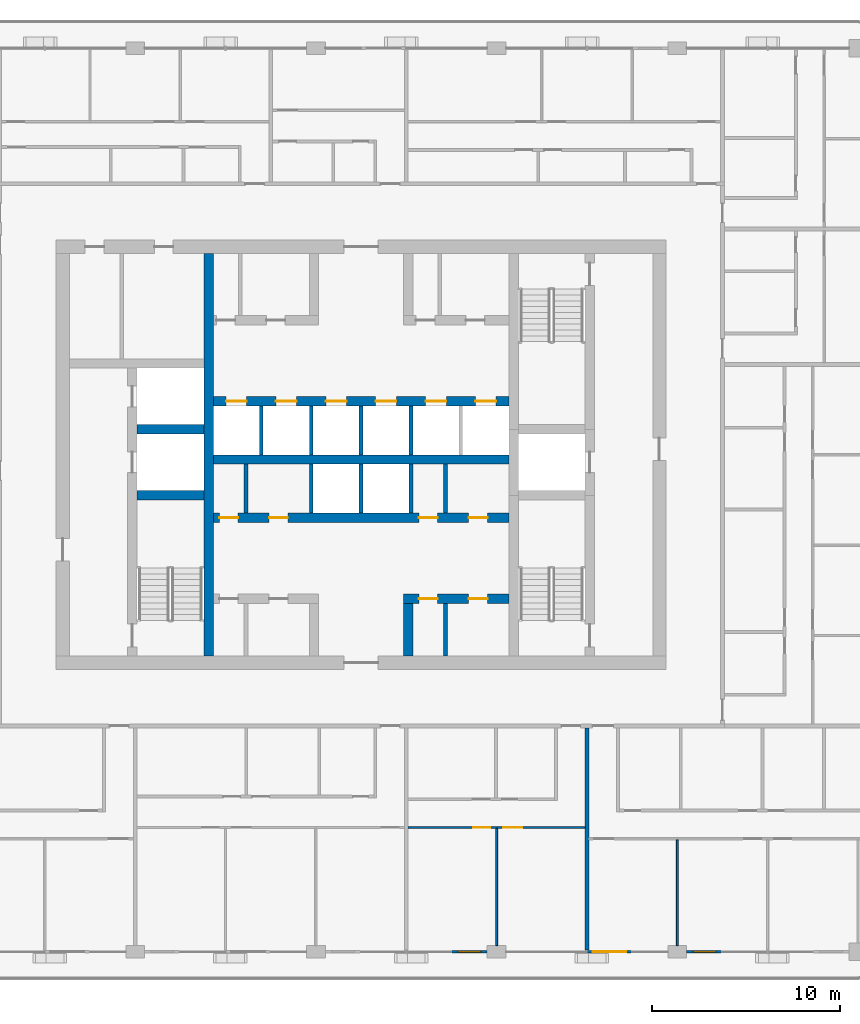
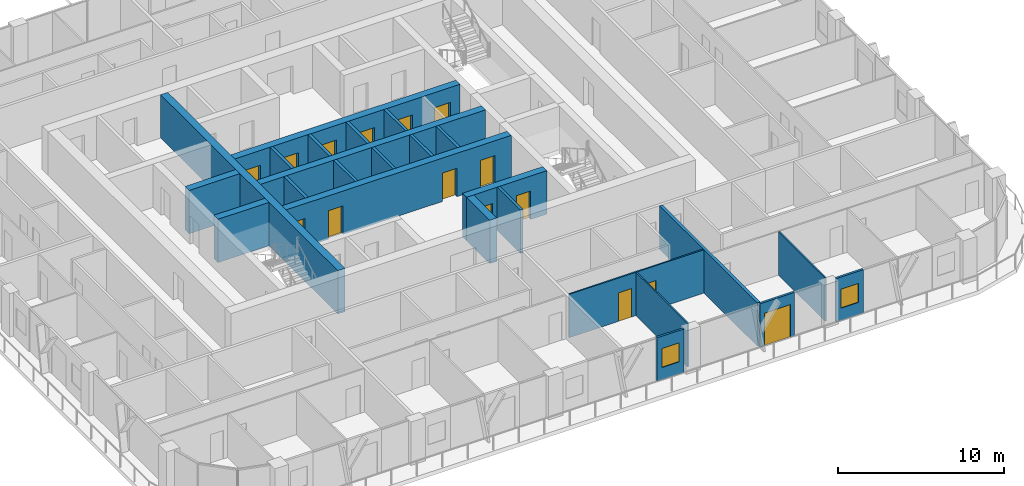
# One storey, part 11 of 22: 25 walls, 15 doors, 2 windows, 17 openings.
"""IFC4 building model written with IfcOpenShell, lengths in metres."""

import ifcopenshell
import ifcopenshell.guid

model = None  # the IFC model being written
_history = None  # IfcOwnerHistory: only IFC2X3 demands one
_inside = {}  # id of a spatial element -> (the spatial element, [elements in it])
_under = {}  # id of a project, library or spatial element -> (it, [spatial elements below it])
_declared = {}  # id of a project -> (the project, [libraries it declares])
_typed = {}  # id of a type object -> (the type object, [elements of that type])
_made_of = {}  # id of a material, layer set ... -> (it, [elements and type objects made of it])


def new_model(schema):
    """Start an empty IFC model of exactly this schema.

    Asked for "IFC4X3", IfcOpenShell would pick the latest addendum, in which some entities
    have other attributes; the version numbers below select the first issue.
    IFC2X3 requires an IfcOwnerHistory on every rooted entity: one is made here for all.
    """
    global model, _history
    if schema == "IFC4X3":
        model = ifcopenshell.file(schema_version=(4, 3, 0, 0))
    else:
        model = ifcopenshell.file(schema=schema)
    _inside.clear()
    _under.clear()
    _declared.clear()
    _typed.clear()
    _made_of.clear()
    _history = None
    if model.schema == "IFC2X3":
        org = make("IfcOrganization", Name="unknown")
        user = make(
            "IfcPersonAndOrganization",
            ThePerson=make("IfcPerson", FamilyName="unknown"),
            TheOrganization=org,
        )
        app = make(
            "IfcApplication",
            ApplicationDeveloper=org,
            Version="unknown",
            ApplicationFullName="unknown",
            ApplicationIdentifier="unknown",
        )
        _history = make(
            "IfcOwnerHistory",
            OwningUser=user,
            OwningApplication=app,
            ChangeAction="ADDED",
            CreationDate=0,
        )
    return model


def make(cls, **values):
    """One entity of the class cls with the attributes given. An attribute that is None is left unset."""
    return model.create_entity(
        cls, **{name: value for name, value in values.items() if value is not None}
    )


def rooted(cls, **values):
    """An entity with a GlobalId (a new one), such as an element, a storey or a relation."""
    return make(cls, GlobalId=ifcopenshell.guid.new(), OwnerHistory=_history, **values)


def si_unit(unit_type, name, prefix=None):
    """IfcSIUnit, for example si_unit("LENGTHUNIT", "METRE", prefix="MILLI")."""
    return make("IfcSIUnit", UnitType=unit_type, Prefix=prefix, Name=name)


def assignment(units):
    """IfcUnitAssignment: the units of a project."""
    return None if units is None else make("IfcUnitAssignment", Units=units)


def point(xyz):
    """IfcCartesianPoint."""
    return None if xyz is None else make("IfcCartesianPoint", Coordinates=xyz)


def direction(xyz):
    """IfcDirection."""
    return None if xyz is None else make("IfcDirection", DirectionRatios=xyz)


def frame(location, z_axis=None, x_axis=None):
    """IfcAxis2Placement3D, a coordinate frame: its origin and axes. An axis left out is left unset."""
    return make(
        "IfcAxis2Placement3D",
        Location=point(location),
        Axis=direction(z_axis),
        RefDirection=direction(x_axis),
    )


def frame_2d(location, x_axis=None):
    """IfcAxis2Placement2D, a coordinate frame in the plane: its origin and x axis."""
    return make(
        "IfcAxis2Placement2D", Location=point(location), RefDirection=direction(x_axis)
    )


def origin():
    """The frame at (0, 0, 0) with its axes left unset."""
    return frame((0.0, 0.0, 0.0))


def place(relative_to, where):
    """IfcLocalPlacement: puts the frame where relative to a parent placement (None: the world)."""
    return make(
        "IfcLocalPlacement", PlacementRelTo=relative_to, RelativePlacement=where
    )


def context(
    kind, dimensions, precision=None, world=None, true_north=None, identifier=None
):
    """IfcGeometricRepresentationContext, for example the 3D "Model" context."""
    return make(
        "IfcGeometricRepresentationContext",
        ContextIdentifier=identifier,
        ContextType=kind,
        CoordinateSpaceDimension=dimensions,
        Precision=precision,
        WorldCoordinateSystem=world,
        TrueNorth=true_north,
    )


def subcontext(parent, identifier, kind, view, scale=None):
    """IfcGeometricRepresentationSubContext, for example "Body" below "Model"."""
    return make(
        "IfcGeometricRepresentationSubContext",
        ContextIdentifier=identifier,
        ContextType=kind,
        ParentContext=parent,
        TargetScale=scale,
        TargetView=view,
    )


def project(units=None, contexts=None):
    """IfcProject with its units and contexts."""
    return rooted(
        "IfcProject",
        Name="project",
        RepresentationContexts=contexts,
        UnitsInContext=assignment(units),
    )


def spatial(cls, under=None, at=None, **own):
    """A site, building, storey or space (cls), placed at a placement, below another one or the project."""
    s = rooted(cls, ObjectPlacement=at, **own)
    if under is not None:
        _under.setdefault(under.id(), (under, []))[1].append(s)
    return s


def profile(cls, at=None, kind="AREA", **sizes):
    """A parametric profile (cls). Its sizes go by their IFC names, for example OverallWidth=200.0."""
    return make(cls, ProfileType=kind, Position=at, **sizes)


def rectangle(**sizes):
    """IfcRectangleProfileDef."""
    return profile("IfcRectangleProfileDef", **sizes)


def extrude(swept, where, along, depth):
    """IfcExtrudedAreaSolid: the profile swept, set in the frame where, extruded along a direction by depth."""
    return make(
        "IfcExtrudedAreaSolid",
        SweptArea=swept,
        Position=where,
        ExtrudedDirection=direction(along),
        Depth=depth,
    )


def shape(context_of_items, identifier, shape_type, items):
    """IfcShapeRepresentation: the items that make up one representation, for example the "Body"."""
    return make(
        "IfcShapeRepresentation",
        ContextOfItems=context_of_items,
        RepresentationIdentifier=identifier,
        RepresentationType=shape_type,
        Items=items,
    )


def material(Name=None, Category=None):
    """IfcMaterial."""
    return make("IfcMaterial", Name=Name, Category=Category)


def layer(
    of_material, thickness, ventilated=None, Name=None, Category=None, Priority=None
):
    """IfcMaterialLayer: one layer of a wall or slab, of a material (None: an air gap)."""
    return make(
        "IfcMaterialLayer",
        Material=of_material,
        LayerThickness=thickness,
        IsVentilated=ventilated,
        Name=Name,
        Category=Category,
        Priority=Priority,
    )


def layer_set(layers, Name=None):
    """IfcMaterialLayerSet."""
    return make("IfcMaterialLayerSet", MaterialLayers=layers, LayerSetName=Name)


def made_of(thing, what):
    """Note that an element or type object is made of a material, layer set ...; save() writes the relation."""
    if what is not None:
        _made_of.setdefault(what.id(), (what, []))[1].append(thing)
    return thing


def type_object(cls, material=None, **own):
    """A type object (cls), such as IfcWallType, which elements share."""
    return made_of(rooted(cls, **own), material)


def element(
    cls,
    number,
    at=None,
    inside=None,
    cuts=None,
    type_object=None,
    material=None,
    context=None,
    identifier="Body",
    shape_type=None,
    held_by="IfcProductDefinitionShape",
    body=None,
    shapes=None,
    **own,
):
    """One element of the class cls, such as IfcWall. Its Tag is "e" and its number.

    at: its placement. inside: the storey or other place that contains it. cuts: it is an
    opening in that element (IfcRelVoidsElement). A single representation is given by context,
    identifier, shape_type and body (its items); several are given by shapes. held_by: the class
    of the entity that holds the representations. save() writes the other relations.
    """
    e = rooted(cls, Tag="e%d" % number, ObjectPlacement=at, **own)
    if body is not None:
        shapes = [shape(context, identifier, shape_type, body)]
    if shapes is not None:
        e.Representation = make(held_by, Representations=shapes)
    if inside is not None:
        _inside.setdefault(inside.id(), (inside, []))[1].append(e)
    if cuts is not None:
        rooted(
            "IfcRelVoidsElement", RelatingBuildingElement=cuts, RelatedOpeningElement=e
        )
    if type_object is not None:
        _typed.setdefault(type_object.id(), (type_object, []))[1].append(e)
    return made_of(e, material)


def fill(opening, filler):
    """IfcRelFillsElement: the door or window that sits in an opening."""
    return rooted(
        "IfcRelFillsElement",
        RelatingOpeningElement=opening,
        RelatedBuildingElement=filler,
    )


def aggregate(whole, parts):
    """IfcRelAggregates: a whole, such as a stair, and the parts it consists of."""
    return rooted("IfcRelAggregates", RelatingObject=whole, RelatedObjects=parts)


def save(model, path):
    """Write the relations noted so far, then the file.

    IfcRelAggregates (storeys below a building ...), IfcRelContainedInSpatialStructure (elements
    in a storey), IfcRelDefinesByType, IfcRelAssociatesMaterial and IfcRelDeclares: one each for
    every whole, place, type object, material and project.
    """
    for whole, parts in _under.values():
        aggregate(whole, parts)
    for where, things in _inside.values():
        rooted(
            "IfcRelContainedInSpatialStructure",
            RelatedElements=things,
            RelatingStructure=where,
        )
    for kind, things in _typed.values():
        rooted("IfcRelDefinesByType", RelatedObjects=things, RelatingType=kind)
    for what, things in _made_of.values():
        rooted("IfcRelAssociatesMaterial", RelatedObjects=things, RelatingMaterial=what)
    for by, libraries in _declared.values():
        rooted("IfcRelDeclares", RelatingContext=by, RelatedDefinitions=libraries)
    model.write(path)


model = new_model("IFC4")

# Units and contexts
model_context = context("Model", 3, precision=1e-05, world=origin(), true_north=direction((0.0, 1.0)))
body_context = subcontext(model_context, "Body", "Model", "MODEL_VIEW")
ifc_project = project(units=[si_unit("LENGTHUNIT", "METRE"), si_unit("AREAUNIT", "SQUARE_METRE"), si_unit("VOLUMEUNIT", "CUBIC_METRE"), si_unit("PLANEANGLEUNIT", "RADIAN"), si_unit("MASSUNIT", "GRAM", prefix="KILO")], contexts=[model_context])

# Site, building, storey
site_placement = place(None, origin())
site = spatial("IfcSite", under=ifc_project, at=site_placement, CompositionType="ELEMENT")
building_placement = place(site_placement, origin())
building = spatial("IfcBuilding", under=site, at=building_placement, Name="Madar Terraces", CompositionType="ELEMENT")
storey_placement = place(building_placement, frame((0.0, 0.0, 178.89990234375)))
storey = spatial("IfcBuildingStorey", under=building, at=storey_placement, Name="L46", CompositionType="ELEMENT", Elevation=178.89990234375)

# Walls
ifc_material_1 = material(Name="Concrete C60/75", Category="concrete")
ifc_layer_1 = layer(ifc_material_1, 0.5)
ifc_layer_set_1 = layer_set([ifc_layer_1], Name="Concrete C60/75 (CIW4 RC wall 500)")
wall_type_1 = type_object("IfcWallType", Name="CIW4 RC wall 500", PredefinedType="SHEAR", material=ifc_layer_set_1)
wall_1_placement = place(storey_placement, frame((23.10009765625, 15.699951171875, 0.0), z_axis=(0.0, 0.0, 1.0), x_axis=(0.0, 1.0, 0.0)))
element("IfcWall", 1, at=wall_1_placement, inside=storey, type_object=wall_type_1, Name="CORE SHAFT WALL", PredefinedType="SHEAR", context=body_context, shape_type="SweptSolid", body=[
    extrude(rectangle(XDim=21.400146484375, YDim=0.5, at=frame_2d((10.7001953125, 0.0))), origin(), (0.0, 0.0, 1.0), 3.2001953125),
])
for number, where, z_axis, x_axis, name in (
    (2, (19.300048828125, 24.25, 0.0), (0.0, 0.0, 1.0), (1.0, 0.0, 0.0), "CORE SHAFT WALL"),
    (3, (19.300048828125, 27.75, 0.0), (0.0, 0.0, 1.0), (1.0, 0.0, 0.0), "CORE SHAFT WALL"),
):
    element("IfcWall", number, at=place(storey_placement, frame(where, z_axis=z_axis, x_axis=x_axis)), inside=storey, type_object=wall_type_1, Name=name, PredefinedType="SHEAR", context=body_context, shape_type="SweptSolid", body=[
        extrude(rectangle(XDim=3.550048828125, YDim=0.5, at=frame_2d((1.77490234375, 0.0))), origin(), (0.0, 0.0, 1.0), 3.2001953125),
    ])

# Wall, openings, doors
wall_2_placement = place(storey_placement, frame((33.449951171875, 18.75, 0.0), z_axis=(0.0, 0.0, 1.0), x_axis=(1.0, 0.0, 0.0)))
wall_2 = element("IfcWall", 4, at=wall_2_placement, inside=storey, type_object=wall_type_1, Name="CORE SHAFT WALL", PredefinedType="SHEAR", context=body_context, shape_type="SweptSolid", body=[
    extrude(rectangle(XDim=5.60009765625, YDim=0.5, at=frame_2d((2.800048828125, 0.0))), origin(), (0.0, 0.0, 1.0), 3.2001953125),
])
opening_1_placement = place(wall_2_placement, frame((0.81689453125, 0.0, 0.0)))
opening_1 = element("IfcOpeningElement", 5, at=opening_1_placement, cuts=wall_2, Name="Opening KD2", PredefinedType="OPENING", context=body_context, shape_type="SweptSolid", body=[
    extrude(rectangle(XDim=1.0, YDim=2.10009765625, at=frame_2d((0.5, 1.050048828125))), frame((0.0, 0.260009765625, 0.0), z_axis=(0.0, -1.0, 0.0), x_axis=(1.0, 0.0, 0.0)), (0.0, 0.0, 1.0), 0.52001953125),
])
opening_2_placement = place(wall_2_placement, frame((3.467041015625, 0.0, 0.0)))
opening_2 = element("IfcOpeningElement", 6, at=opening_2_placement, cuts=wall_2, Name="Opening KD2", PredefinedType="OPENING", context=body_context, shape_type="SweptSolid", body=[
    extrude(rectangle(XDim=1.0, YDim=2.10009765625, at=frame_2d((0.5, 1.050048828125))), frame((0.0, 0.260009765625, 0.0), z_axis=(0.0, -1.0, 0.0), x_axis=(1.0, 0.0, 0.0)), (0.0, 0.0, 1.0), 0.52001953125),
])
ifc_material_2 = material(Name="Steel door leaf", Category="steel")
door_type_1 = type_object("IfcDoorType", Name="Service room door 1000 x 2100", OperationType="NOTDEFINED", PredefinedType="DOOR", material=ifc_material_2)
door_1_placement = place(opening_1_placement, origin())
door_1 = element("IfcDoor", 7, at=door_1_placement, inside=storey, type_object=door_type_1, Name="SERVICE ROOM DOOR", OperationType="SINGLE_SWING_LEFT", OverallHeight=2.10009765625, OverallWidth=1.0, PredefinedType="DOOR", context=body_context, shape_type="SweptSolid", body=[
    extrude(rectangle(XDim=1.0, YDim=2.10009765625, at=frame_2d((0.5, 1.050048828125))), frame((0.0, 0.02490234375, 0.0), z_axis=(0.0, -1.0, 0.0), x_axis=(1.0, 0.0, 0.0)), (0.0, 0.0, 1.0), 0.050048828125),
])
fill(opening_1, door_1)
door_2_placement = place(opening_2_placement, origin())
door_2 = element("IfcDoor", 8, at=door_2_placement, inside=storey, type_object=door_type_1, Name="SERVICE ROOM DOOR", OperationType="SINGLE_SWING_RIGHT", OverallHeight=2.10009765625, OverallWidth=1.0, PredefinedType="DOOR", context=body_context, shape_type="SweptSolid", body=[
    extrude(rectangle(XDim=1.0, YDim=2.10009765625, at=frame_2d((0.5, 1.050048828125))), frame((0.0, 0.02490234375, 0.0), z_axis=(0.0, -1.0, 0.0), x_axis=(1.0, 0.0, 0.0)), (0.0, 0.0, 1.0), 0.050048828125),
])
fill(opening_2, door_2)

wall_3_placement = place(storey_placement, frame((23.35009765625, 23.050048828125, 0.0), z_axis=(0.0, 0.0, 1.0), x_axis=(1.0, 0.0, 0.0)))
wall_3 = element("IfcWall", 9, at=wall_3_placement, inside=storey, type_object=wall_type_1, Name="CORE SHAFT WALL", PredefinedType="SHEAR", context=body_context, shape_type="SweptSolid", body=[
    extrude(rectangle(XDim=15.699951171875, YDim=0.5, at=frame_2d((7.85009765625, 0.0))), origin(), (0.0, 0.0, 1.0), 3.2001953125),
])
opening_3_placement = place(wall_3_placement, frame((0.31689453125, 0.0, 0.0)))
opening_3 = element("IfcOpeningElement", 10, at=opening_3_placement, cuts=wall_3, Name="Opening KD2", PredefinedType="OPENING", context=body_context, shape_type="SweptSolid", body=[
    extrude(rectangle(XDim=1.0, YDim=2.10009765625, at=frame_2d((0.5, 1.050048828125))), frame((0.0, 0.260009765625, 0.0), z_axis=(0.0, -1.0, 0.0), x_axis=(1.0, 0.0, 0.0)), (0.0, 0.0, 1.0), 0.52001953125),
])
opening_4_placement = place(wall_3_placement, frame((2.967041015625, 0.0, 0.0)))
opening_4 = element("IfcOpeningElement", 11, at=opening_4_placement, cuts=wall_3, Name="Opening KD2", PredefinedType="OPENING", context=body_context, shape_type="SweptSolid", body=[
    extrude(rectangle(XDim=1.0, YDim=2.10009765625, at=frame_2d((0.5, 1.050048828125))), frame((0.0, 0.260009765625, 0.0), z_axis=(0.0, -1.0, 0.0), x_axis=(1.0, 0.0, 0.0)), (0.0, 0.0, 1.0), 0.52001953125),
])
opening_5_placement = place(wall_3_placement, frame((10.9169921875, 0.0, 0.0)))
opening_5 = element("IfcOpeningElement", 12, at=opening_5_placement, cuts=wall_3, Name="Opening KD2", PredefinedType="OPENING", context=body_context, shape_type="SweptSolid", body=[
    extrude(rectangle(XDim=1.0, YDim=2.10009765625, at=frame_2d((0.5, 1.050048828125))), frame((0.0, 0.260009765625, 0.0), z_axis=(0.0, -1.0, 0.0), x_axis=(1.0, 0.0, 0.0)), (0.0, 0.0, 1.0), 0.52001953125),
])
opening_6_placement = place(wall_3_placement, frame((13.56689453125, 0.0, 0.0)))
opening_6 = element("IfcOpeningElement", 13, at=opening_6_placement, cuts=wall_3, Name="Opening KD2", PredefinedType="OPENING", context=body_context, shape_type="SweptSolid", body=[
    extrude(rectangle(XDim=1.0, YDim=2.10009765625, at=frame_2d((0.5, 1.050048828125))), frame((0.0, 0.260009765625, 0.0), z_axis=(0.0, -1.0, 0.0), x_axis=(1.0, 0.0, 0.0)), (0.0, 0.0, 1.0), 0.52001953125),
])
door_3_placement = place(opening_3_placement, frame((1.0, 0.0, 0.0), z_axis=(0.0, 0.0, 1.0), x_axis=(-1.0, 0.0, 0.0)))
door_3 = element("IfcDoor", 14, at=door_3_placement, inside=storey, type_object=door_type_1, Name="SERVICE ROOM DOOR", OperationType="SINGLE_SWING_LEFT", OverallHeight=2.10009765625, OverallWidth=1.0, PredefinedType="DOOR", context=body_context, shape_type="SweptSolid", body=[
    extrude(rectangle(XDim=1.0, YDim=2.10009765625, at=frame_2d((0.5, 1.050048828125))), frame((0.0, 0.02490234375, 0.0), z_axis=(0.0, -1.0, 0.0), x_axis=(1.0, 0.0, 0.0)), (0.0, 0.0, 1.0), 0.050048828125),
])
fill(opening_3, door_3)
door_4_placement = place(opening_4_placement, frame((1.0, 0.0, 0.0), z_axis=(0.0, 0.0, 1.0), x_axis=(-1.0, 0.0, 0.0)))
door_4 = element("IfcDoor", 15, at=door_4_placement, inside=storey, type_object=door_type_1, Name="SERVICE ROOM DOOR", OperationType="SINGLE_SWING_RIGHT", OverallHeight=2.10009765625, OverallWidth=1.0, PredefinedType="DOOR", context=body_context, shape_type="SweptSolid", body=[
    extrude(rectangle(XDim=1.0, YDim=2.10009765625, at=frame_2d((0.5, 1.050048828125))), frame((0.0, 0.02490234375, 0.0), z_axis=(0.0, -1.0, 0.0), x_axis=(1.0, 0.0, 0.0)), (0.0, 0.0, 1.0), 0.050048828125),
])
fill(opening_4, door_4)
door_5_placement = place(opening_5_placement, frame((1.0, 0.0, 0.0), z_axis=(0.0, 0.0, 1.0), x_axis=(-1.0, 0.0, 0.0)))
door_5 = element("IfcDoor", 16, at=door_5_placement, inside=storey, type_object=door_type_1, Name="SERVICE ROOM DOOR", OperationType="SINGLE_SWING_LEFT", OverallHeight=2.10009765625, OverallWidth=1.0, PredefinedType="DOOR", context=body_context, shape_type="SweptSolid", body=[
    extrude(rectangle(XDim=1.0, YDim=2.10009765625, at=frame_2d((0.5, 1.050048828125))), frame((0.0, 0.02490234375, 0.0), z_axis=(0.0, -1.0, 0.0), x_axis=(1.0, 0.0, 0.0)), (0.0, 0.0, 1.0), 0.050048828125),
])
fill(opening_5, door_5)
door_6_placement = place(opening_6_placement, frame((1.0, 0.0, 0.0), z_axis=(0.0, 0.0, 1.0), x_axis=(-1.0, 0.0, 0.0)))
door_6 = element("IfcDoor", 17, at=door_6_placement, inside=storey, type_object=door_type_1, Name="SERVICE ROOM DOOR", OperationType="SINGLE_SWING_RIGHT", OverallHeight=2.10009765625, OverallWidth=1.0, PredefinedType="DOOR", context=body_context, shape_type="SweptSolid", body=[
    extrude(rectangle(XDim=1.0, YDim=2.10009765625, at=frame_2d((0.5, 1.050048828125))), frame((0.0, 0.02490234375, 0.0), z_axis=(0.0, -1.0, 0.0), x_axis=(1.0, 0.0, 0.0)), (0.0, 0.0, 1.0), 0.050048828125),
])
fill(opening_6, door_6)

# Wall
wall_4_placement = place(storey_placement, frame((23.35009765625, 26.14990234375, 0.0), z_axis=(0.0, 0.0, 1.0), x_axis=(1.0, 0.0, 0.0)))
element("IfcWall", 18, at=wall_4_placement, inside=storey, type_object=wall_type_1, Name="CORE SHAFT WALL", PredefinedType="SHEAR", context=body_context, shape_type="SweptSolid", body=[
    extrude(rectangle(XDim=15.699951171875, YDim=0.5, at=frame_2d((7.85009765625, 0.0))), origin(), (0.0, 0.0, 1.0), 3.2001953125),
])

# Wall, openings, doors
wall_5_placement = place(storey_placement, frame((23.35009765625, 29.25, 0.0), z_axis=(0.0, 0.0, 1.0), x_axis=(1.0, 0.0, 0.0)))
wall_5 = element("IfcWall", 19, at=wall_5_placement, inside=storey, type_object=wall_type_1, Name="CORE SHAFT WALL", PredefinedType="SHEAR", context=body_context, shape_type="SweptSolid", body=[
    extrude(rectangle(XDim=15.699951171875, YDim=0.5, at=frame_2d((7.85009765625, 0.0))), origin(), (0.0, 0.0, 1.0), 3.2001953125),
])
opening_7_placement = place(wall_5_placement, frame((0.675048828125, 0.0, 0.0)))
opening_7 = element("IfcOpeningElement", 20, at=opening_7_placement, cuts=wall_5, Name="Opening LD", PredefinedType="OPENING", context=body_context, shape_type="SweptSolid", body=[
    extrude(rectangle(XDim=1.10009765625, YDim=2.10009765625, at=frame_2d((0.550048828125, 1.050048828125))), frame((0.0, 0.260009765625, 0.0), z_axis=(0.0, -1.0, 0.0), x_axis=(1.0, 0.0, 0.0)), (0.0, 0.0, 1.0), 0.52001953125),
])
opening_8_placement = place(wall_5_placement, frame((3.324951171875, 0.0, 0.0)))
opening_8 = element("IfcOpeningElement", 21, at=opening_8_placement, cuts=wall_5, Name="Opening LD", PredefinedType="OPENING", context=body_context, shape_type="SweptSolid", body=[
    extrude(rectangle(XDim=1.10009765625, YDim=2.10009765625, at=frame_2d((0.550048828125, 1.050048828125))), frame((0.0, 0.260009765625, 0.0), z_axis=(0.0, -1.0, 0.0), x_axis=(1.0, 0.0, 0.0)), (0.0, 0.0, 1.0), 0.52001953125),
])
opening_9_placement = place(wall_5_placement, frame((5.97509765625, 0.0, 0.0)))
opening_9 = element("IfcOpeningElement", 22, at=opening_9_placement, cuts=wall_5, Name="Opening LD", PredefinedType="OPENING", context=body_context, shape_type="SweptSolid", body=[
    extrude(rectangle(XDim=1.10009765625, YDim=2.10009765625, at=frame_2d((0.550048828125, 1.050048828125))), frame((0.0, 0.260009765625, 0.0), z_axis=(0.0, -1.0, 0.0), x_axis=(1.0, 0.0, 0.0)), (0.0, 0.0, 1.0), 0.52001953125),
])
opening_10_placement = place(wall_5_placement, frame((8.625, 0.0, 0.0)))
opening_10 = element("IfcOpeningElement", 23, at=opening_10_placement, cuts=wall_5, Name="Opening LD", PredefinedType="OPENING", context=body_context, shape_type="SweptSolid", body=[
    extrude(rectangle(XDim=1.10009765625, YDim=2.10009765625, at=frame_2d((0.550048828125, 1.050048828125))), frame((0.0, 0.260009765625, 0.0), z_axis=(0.0, -1.0, 0.0), x_axis=(1.0, 0.0, 0.0)), (0.0, 0.0, 1.0), 0.52001953125),
])
opening_11_placement = place(wall_5_placement, frame((11.27490234375, 0.0, 0.0)))
opening_11 = element("IfcOpeningElement", 24, at=opening_11_placement, cuts=wall_5, Name="Opening LD", PredefinedType="OPENING", context=body_context, shape_type="SweptSolid", body=[
    extrude(rectangle(XDim=1.10009765625, YDim=2.10009765625, at=frame_2d((0.550048828125, 1.050048828125))), frame((0.0, 0.260009765625, 0.0), z_axis=(0.0, -1.0, 0.0), x_axis=(1.0, 0.0, 0.0)), (0.0, 0.0, 1.0), 0.52001953125),
])
opening_12_placement = place(wall_5_placement, frame((13.925048828125, 0.0, 0.0)))
opening_12 = element("IfcOpeningElement", 25, at=opening_12_placement, cuts=wall_5, Name="Opening LD", PredefinedType="OPENING", context=body_context, shape_type="SweptSolid", body=[
    extrude(rectangle(XDim=1.10009765625, YDim=2.10009765625, at=frame_2d((0.550048828125, 1.050048828125))), frame((0.0, 0.260009765625, 0.0), z_axis=(0.0, -1.0, 0.0), x_axis=(1.0, 0.0, 0.0)), (0.0, 0.0, 1.0), 0.52001953125),
])
ifc_material_3 = material(Name="Stainless steel panel", Category="steel")
door_type_2 = type_object("IfcDoorType", Name="Lift landing door 1100 x 2100", OperationType="DOUBLE_DOOR_SLIDING", PredefinedType="DOOR", material=ifc_material_3)
door_7_placement = place(opening_7_placement, origin())
door_7 = element("IfcDoor", 26, at=door_7_placement, inside=storey, type_object=door_type_2, Name="LIFT LANDING DOOR", OperationType="DOUBLE_DOOR_SLIDING", OverallHeight=2.10009765625, OverallWidth=1.10009765625, PredefinedType="DOOR", context=body_context, shape_type="SweptSolid", body=[
    extrude(rectangle(XDim=1.10009765625, YDim=2.10009765625, at=frame_2d((0.550048828125, 1.050048828125))), frame((0.0, 0.02490234375, 0.0), z_axis=(0.0, -1.0, 0.0), x_axis=(1.0, 0.0, 0.0)), (0.0, 0.0, 1.0), 0.050048828125),
])
fill(opening_7, door_7)
door_8_placement = place(opening_8_placement, origin())
door_8 = element("IfcDoor", 27, at=door_8_placement, inside=storey, type_object=door_type_2, Name="LIFT LANDING DOOR", OperationType="DOUBLE_DOOR_SLIDING", OverallHeight=2.10009765625, OverallWidth=1.10009765625, PredefinedType="DOOR", context=body_context, shape_type="SweptSolid", body=[
    extrude(rectangle(XDim=1.10009765625, YDim=2.10009765625, at=frame_2d((0.550048828125, 1.050048828125))), frame((0.0, 0.02490234375, 0.0), z_axis=(0.0, -1.0, 0.0), x_axis=(1.0, 0.0, 0.0)), (0.0, 0.0, 1.0), 0.050048828125),
])
fill(opening_8, door_8)
door_9_placement = place(opening_9_placement, origin())
door_9 = element("IfcDoor", 28, at=door_9_placement, inside=storey, type_object=door_type_2, Name="LIFT LANDING DOOR", OperationType="DOUBLE_DOOR_SLIDING", OverallHeight=2.10009765625, OverallWidth=1.10009765625, PredefinedType="DOOR", context=body_context, shape_type="SweptSolid", body=[
    extrude(rectangle(XDim=1.10009765625, YDim=2.10009765625, at=frame_2d((0.550048828125, 1.050048828125))), frame((0.0, 0.02490234375, 0.0), z_axis=(0.0, -1.0, 0.0), x_axis=(1.0, 0.0, 0.0)), (0.0, 0.0, 1.0), 0.050048828125),
])
fill(opening_9, door_9)
door_10_placement = place(opening_10_placement, origin())
door_10 = element("IfcDoor", 29, at=door_10_placement, inside=storey, type_object=door_type_2, Name="LIFT LANDING DOOR", OperationType="DOUBLE_DOOR_SLIDING", OverallHeight=2.10009765625, OverallWidth=1.10009765625, PredefinedType="DOOR", context=body_context, shape_type="SweptSolid", body=[
    extrude(rectangle(XDim=1.10009765625, YDim=2.10009765625, at=frame_2d((0.550048828125, 1.050048828125))), frame((0.0, 0.02490234375, 0.0), z_axis=(0.0, -1.0, 0.0), x_axis=(1.0, 0.0, 0.0)), (0.0, 0.0, 1.0), 0.050048828125),
])
fill(opening_10, door_10)
door_11_placement = place(opening_11_placement, origin())
door_11 = element("IfcDoor", 30, at=door_11_placement, inside=storey, type_object=door_type_2, Name="LIFT LANDING DOOR", OperationType="DOUBLE_DOOR_SLIDING", OverallHeight=2.10009765625, OverallWidth=1.10009765625, PredefinedType="DOOR", context=body_context, shape_type="SweptSolid", body=[
    extrude(rectangle(XDim=1.10009765625, YDim=2.10009765625, at=frame_2d((0.550048828125, 1.050048828125))), frame((0.0, 0.02490234375, 0.0), z_axis=(0.0, -1.0, 0.0), x_axis=(1.0, 0.0, 0.0)), (0.0, 0.0, 1.0), 0.050048828125),
])
fill(opening_11, door_11)
door_12_placement = place(opening_12_placement, origin())
door_12 = element("IfcDoor", 31, at=door_12_placement, inside=storey, type_object=door_type_2, Name="LIFT LANDING DOOR", OperationType="DOUBLE_DOOR_SLIDING", OverallHeight=2.10009765625, OverallWidth=1.10009765625, PredefinedType="DOOR", context=body_context, shape_type="SweptSolid", body=[
    extrude(rectangle(XDim=1.10009765625, YDim=2.10009765625, at=frame_2d((0.550048828125, 1.050048828125))), frame((0.0, 0.02490234375, 0.0), z_axis=(0.0, -1.0, 0.0), x_axis=(1.0, 0.0, 0.0)), (0.0, 0.0, 1.0), 0.050048828125),
])
fill(opening_12, door_12)

# Walls
wall_6_placement = place(storey_placement, frame((33.699951171875, 15.699951171875, 0.0), z_axis=(0.0, 0.0, 1.0), x_axis=(0.0, 1.0, 0.0)))
element("IfcWall", 32, at=wall_6_placement, inside=storey, type_object=wall_type_1, Name="CORE SHAFT WALL", PredefinedType="SHEAR", context=body_context, shape_type="SweptSolid", body=[
    extrude(rectangle(XDim=2.800048828125, YDim=0.5, at=frame_2d((1.39990234375, 0.0))), origin(), (0.0, 0.0, 1.0), 3.2001953125),
])
ifc_material_4 = material(Name="Masonry blockwork", Category="masonry")
ifc_layer_2 = layer(ifc_material_4, 0.199951171875)
ifc_layer_set_2 = layer_set([ifc_layer_2], Name="Core partition 200 blockwork")
wall_type_2 = type_object("IfcWallType", Name="Core partition 200 blockwork", PredefinedType="PARTITIONING", material=ifc_layer_set_2)
for number, where, z_axis, x_axis, name in (
    (33, (25.083984375, 23.300048828125, 0.0), (0.0, 0.0, 1.0), (0.0, 1.0, 0.0), "SERVICE ROOM PARTITION"),
    (34, (35.68408203125, 23.300048828125, 0.0), (0.0, 0.0, 1.0), (0.0, 1.0, 0.0), "SERVICE ROOM PARTITION"),
):
    element("IfcWall", number, at=place(storey_placement, frame(where, z_axis=z_axis, x_axis=x_axis)), inside=storey, type_object=wall_type_2, Name=name, PredefinedType="PARTITIONING", context=body_context, shape_type="SweptSolid", body=[
        extrude(rectangle(XDim=2.599853515625, YDim=0.199951171875, at=frame_2d((1.2998046875, 0.0))), origin(), (0.0, 0.0, 1.0), 3.2001953125),
    ])
wall_7_placement = place(storey_placement, frame((35.68408203125, 15.699951171875, 0.0), z_axis=(0.0, 0.0, 1.0), x_axis=(0.0, 1.0, 0.0)))
element("IfcWall", 35, at=wall_7_placement, inside=storey, type_object=wall_type_2, Name="SERVICE ROOM PARTITION", PredefinedType="PARTITIONING", context=body_context, shape_type="SweptSolid", body=[
    extrude(rectangle(XDim=2.800048828125, YDim=0.199951171875, at=frame_2d((1.39990234375, 0.0))), origin(), (0.0, 0.0, 1.0), 3.2001953125),
])
ifc_material_5 = material(Name="Concrete C40/50", Category="concrete")
ifc_layer_3 = layer(ifc_material_5, 0.199951171875)
ifc_layer_set_3 = layer_set([ifc_layer_3], Name="Core shaft dividing wall 200 C40/50")
wall_type_3 = type_object("IfcWallType", Name="Core shaft dividing wall 200 C40/50", PredefinedType="SOLIDWALL", material=ifc_layer_set_3)
wall_8_placement = place(storey_placement, frame((25.89990234375, 26.39990234375, 0.0), z_axis=(0.0, 0.0, 1.0), x_axis=(0.0, 1.0, 0.0)))
element("IfcWall", 36, at=wall_8_placement, inside=storey, type_object=wall_type_3, Name="SHAFT DIVIDING WALL", PredefinedType="SOLIDWALL", context=body_context, shape_type="SweptSolid", body=[
    extrude(rectangle(XDim=2.60009765625, YDim=0.199951171875, at=frame_2d((1.300048828125, 0.0))), origin(), (0.0, 0.0, 1.0), 3.2001953125),
])
wall_9_placement = place(storey_placement, frame((28.550048828125, 23.300048828125, 0.0), z_axis=(0.0, 0.0, 1.0), x_axis=(0.0, 1.0, 0.0)))
element("IfcWall", 37, at=wall_9_placement, inside=storey, type_object=wall_type_3, Name="SHAFT DIVIDING WALL", PredefinedType="SOLIDWALL", context=body_context, shape_type="SweptSolid", body=[
    extrude(rectangle(XDim=2.599853515625, YDim=0.199951171875, at=frame_2d((1.2998046875, 0.0))), origin(), (0.0, 0.0, 1.0), 3.2001953125),
])
wall_10_placement = place(storey_placement, frame((28.550048828125, 26.39990234375, 0.0), z_axis=(0.0, 0.0, 1.0), x_axis=(0.0, 1.0, 0.0)))
element("IfcWall", 38, at=wall_10_placement, inside=storey, type_object=wall_type_3, Name="SHAFT DIVIDING WALL", PredefinedType="SOLIDWALL", context=body_context, shape_type="SweptSolid", body=[
    extrude(rectangle(XDim=2.60009765625, YDim=0.199951171875, at=frame_2d((1.300048828125, 0.0))), origin(), (0.0, 0.0, 1.0), 3.2001953125),
])
wall_11_placement = place(storey_placement, frame((31.199951171875, 23.300048828125, 0.0), z_axis=(0.0, 0.0, 1.0), x_axis=(0.0, 1.0, 0.0)))
element("IfcWall", 39, at=wall_11_placement, inside=storey, type_object=wall_type_3, Name="SHAFT DIVIDING WALL", PredefinedType="SOLIDWALL", context=body_context, shape_type="SweptSolid", body=[
    extrude(rectangle(XDim=2.599853515625, YDim=0.199951171875, at=frame_2d((1.2998046875, 0.0))), origin(), (0.0, 0.0, 1.0), 3.2001953125),
])
wall_12_placement = place(storey_placement, frame((31.199951171875, 26.39990234375, 0.0), z_axis=(0.0, 0.0, 1.0), x_axis=(0.0, 1.0, 0.0)))
element("IfcWall", 40, at=wall_12_placement, inside=storey, type_object=wall_type_3, Name="SHAFT DIVIDING WALL", PredefinedType="SOLIDWALL", context=body_context, shape_type="SweptSolid", body=[
    extrude(rectangle(XDim=2.60009765625, YDim=0.199951171875, at=frame_2d((1.300048828125, 0.0))), origin(), (0.0, 0.0, 1.0), 3.2001953125),
])
wall_13_placement = place(storey_placement, frame((33.85009765625, 23.300048828125, 0.0), z_axis=(0.0, 0.0, 1.0), x_axis=(0.0, 1.0, 0.0)))
element("IfcWall", 41, at=wall_13_placement, inside=storey, type_object=wall_type_3, Name="SHAFT DIVIDING WALL", PredefinedType="SOLIDWALL", context=body_context, shape_type="SweptSolid", body=[
    extrude(rectangle(XDim=2.599853515625, YDim=0.199951171875, at=frame_2d((1.2998046875, 0.0))), origin(), (0.0, 0.0, 1.0), 3.2001953125),
])
wall_14_placement = place(storey_placement, frame((33.85009765625, 26.39990234375, 0.0), z_axis=(0.0, 0.0, 1.0), x_axis=(0.0, 1.0, 0.0)))
element("IfcWall", 42, at=wall_14_placement, inside=storey, type_object=wall_type_3, Name="SHAFT DIVIDING WALL", PredefinedType="SOLIDWALL", context=body_context, shape_type="SweptSolid", body=[
    extrude(rectangle(XDim=2.60009765625, YDim=0.199951171875, at=frame_2d((1.300048828125, 0.0))), origin(), (0.0, 0.0, 1.0), 3.2001953125),
])

# Wall, opening, window
ifc_material_6 = material(Name="Aluminium composite panel, black, over insulated backing", Category="aluminium")
ifc_layer_4 = layer(ifc_material_6, 0.14990234375)
ifc_layer_set_4 = layer_set([ifc_layer_4], Name="Facade bay panel 150")
wall_type_4 = type_object("IfcWallType", Name="Facade bay panel 150", PredefinedType="SOLIDWALL", material=ifc_layer_set_4)
wall_15_placement = place(storey_placement, frame((36.0, 0.0, 0.0), z_axis=(0.0, 0.0, 1.0), x_axis=(1.0, 0.0, 0.0)))
wall_15 = element("IfcWall", 43, at=wall_15_placement, inside=storey, type_object=wall_type_4, Name="Facade bay panel", PredefinedType="SOLIDWALL", context=body_context, shape_type="SweptSolid", body=[
    extrude(rectangle(XDim=1.89990234375, YDim=0.14990234375, at=frame_2d((0.949951171875, 0.0))), origin(), (0.0, 0.0, 1.0), 3.2001953125),
])
opening_13_placement = place(wall_15_placement, frame((0.35009765625, 0.0, 0.89990234375)))
opening_13 = element("IfcOpeningElement", 44, at=opening_13_placement, cuts=wall_15, Name="Opening W1", PredefinedType="OPENING", context=body_context, shape_type="SweptSolid", body=[
    extrude(rectangle(XDim=1.199951171875, YDim=1.39990234375, at=frame_2d((0.60009765625, 0.699951171875))), frame((0.0, 0.0849609375, 0.0), z_axis=(0.0, -1.0, 0.0), x_axis=(1.0, 0.0, 0.0)), (0.0, 0.0, 1.0), 0.169921875),
])
ifc_material_7 = material(Name="Glass, clear, with black aluminium frame", Category="aluminium")
window_type = type_object("IfcWindowType", Name="Vent window 1200 x 1400", PartitioningType="SINGLE_PANEL", PredefinedType="WINDOW", material=ifc_material_7)
window_1_placement = place(opening_13_placement, origin())
window_1 = element("IfcWindow", 45, at=window_1_placement, inside=storey, type_object=window_type, Name="Operable vent window", OverallHeight=1.39990234375, OverallWidth=1.199951171875, PartitioningType="SINGLE_PANEL", PredefinedType="WINDOW", context=body_context, shape_type="SweptSolid", body=[
    extrude(rectangle(XDim=1.199951171875, YDim=1.39990234375, at=frame_2d((0.60009765625, 0.699951171875))), frame((0.0, 0.030029296875, 0.0), z_axis=(0.0, -1.0, 0.0), x_axis=(1.0, 0.0, 0.0)), (0.0, 0.0, 1.0), 0.06005859375),
])
fill(opening_13, window_1)

# Wall, opening, door
wall_16_placement = place(storey_placement, frame((43.199951171875, 0.0, 0.0), z_axis=(0.0, 0.0, 1.0), x_axis=(1.0, 0.0, 0.0)))
wall_16 = element("IfcWall", 46, at=wall_16_placement, inside=storey, type_object=wall_type_4, Name="Facade bay panel", PredefinedType="SOLIDWALL", context=body_context, shape_type="SweptSolid", body=[
    extrude(rectangle(XDim=2.400146484375, YDim=0.14990234375, at=frame_2d((1.2001953125, 0.0))), origin(), (0.0, 0.0, 1.0), 3.2001953125),
])
opening_14_placement = place(wall_16_placement, frame((0.300048828125, 0.0, 0.0)))
opening_14 = element("IfcOpeningElement", 47, at=opening_14_placement, cuts=wall_16, Name="Opening ED1", PredefinedType="OPENING", context=body_context, shape_type="SweptSolid", body=[
    extrude(rectangle(XDim=1.800048828125, YDim=2.39990234375, at=frame_2d((0.89990234375, 1.199951171875))), frame((0.0, 0.0849609375, 0.0), z_axis=(0.0, -1.0, 0.0), x_axis=(1.0, 0.0, 0.0)), (0.0, 0.0, 1.0), 0.169921875),
])
ifc_material_8 = material(Name="Glass, clear, with black aluminium frame", Category="aluminium")
door_type_3 = type_object("IfcDoorType", Name="Balcony and terrace sliding door 1800 x 2400", OperationType="SLIDING_TO_LEFT", PredefinedType="DOOR", material=ifc_material_8)
door_13_placement = place(opening_14_placement, origin())
door_13 = element("IfcDoor", 48, at=door_13_placement, inside=storey, type_object=door_type_3, Name="Balcony door", OperationType="SLIDING_TO_LEFT", OverallHeight=2.39990234375, OverallWidth=1.800048828125, PredefinedType="DOOR", context=body_context, shape_type="SweptSolid", body=[
    extrude(rectangle(XDim=1.800048828125, YDim=2.39990234375, at=frame_2d((0.89990234375, 1.199951171875))), frame((0.0, 0.02490234375, 0.0), z_axis=(0.0, -1.0, 0.0), x_axis=(1.0, 0.0, 0.0)), (0.0, 0.0, 1.0), 0.050048828125),
])
fill(opening_14, door_13)

# Wall, opening, window
wall_17_placement = place(storey_placement, frame((48.5, 0.0, 0.0), z_axis=(0.0, 0.0, 1.0), x_axis=(1.0, 0.0, 0.0)))
wall_17 = element("IfcWall", 49, at=wall_17_placement, inside=storey, type_object=wall_type_4, Name="Facade bay panel", PredefinedType="SOLIDWALL", context=body_context, shape_type="SweptSolid", body=[
    extrude(rectangle(XDim=1.89990234375, YDim=0.14990234375, at=frame_2d((0.949951171875, 0.0))), origin(), (0.0, 0.0, 1.0), 3.2001953125),
])
opening_15_placement = place(wall_17_placement, frame((0.35009765625, 0.0, 0.89990234375)))
opening_15 = element("IfcOpeningElement", 50, at=opening_15_placement, cuts=wall_17, Name="Opening W1", PredefinedType="OPENING", context=body_context, shape_type="SweptSolid", body=[
    extrude(rectangle(XDim=1.199951171875, YDim=1.39990234375, at=frame_2d((0.60009765625, 0.699951171875))), frame((0.0, 0.0849609375, 0.0), z_axis=(0.0, -1.0, 0.0), x_axis=(1.0, 0.0, 0.0)), (0.0, 0.0, 1.0), 0.169921875),
])
window_2_placement = place(opening_15_placement, origin())
window_2 = element("IfcWindow", 51, at=window_2_placement, inside=storey, type_object=window_type, Name="Operable vent window", OverallHeight=1.39990234375, OverallWidth=1.199951171875, PartitioningType="SINGLE_PANEL", PredefinedType="WINDOW", context=body_context, shape_type="SweptSolid", body=[
    extrude(rectangle(XDim=1.199951171875, YDim=1.39990234375, at=frame_2d((0.60009765625, 0.699951171875))), frame((0.0, 0.030029296875, 0.0), z_axis=(0.0, -1.0, 0.0), x_axis=(1.0, 0.0, 0.0)), (0.0, 0.0, 1.0), 0.06005859375),
])
fill(opening_15, window_2)

# Wall
ifc_material_9 = material(Name="Gypsum board on steel studs", Category="steel")
ifc_layer_5 = layer(ifc_material_9, 0.10009765625)
ifc_layer_set_5 = layer_set([ifc_layer_5], Name="Flat partition 100")
wall_type_5 = type_object("IfcWallType", Name="Flat partition 100", PredefinedType="PARTITIONING", material=ifc_layer_set_5)
wall_18_placement = place(storey_placement, frame((38.39990234375, 6.550048828125, 0.0), z_axis=(0.0, 0.0, 1.0), x_axis=(0.0, -1.0, 0.0)))
element("IfcWall", 52, at=wall_18_placement, inside=storey, type_object=wall_type_5, Name="Flat partition 100", PredefinedType="PARTITIONING", context=body_context, shape_type="SweptSolid", body=[
    extrude(rectangle(XDim=6.22509765625, YDim=0.10009765625, at=frame_2d((3.112548828125, 0.0))), origin(), (0.0, 0.0, 1.0), 3.2001953125),
])

# Wall, openings, doors
wall_19_placement = place(storey_placement, frame((43.10009765625, 6.60009765625, 0.0), z_axis=(0.0, 0.0, 1.0), x_axis=(-1.0, 0.0, 0.0)))
wall_19 = element("IfcWall", 53, at=wall_19_placement, inside=storey, type_object=wall_type_5, Name="Flat partition 100", PredefinedType="PARTITIONING", context=body_context, shape_type="SweptSolid", body=[
    extrude(rectangle(XDim=9.400146484375, YDim=0.10009765625, at=frame_2d((4.7001953125, 0.0))), origin(), (0.0, 0.0, 1.0), 3.2001953125),
])
opening_16_placement = place(wall_19_placement, frame((3.35009765625, 0.0, 0.0)))
opening_16 = element("IfcOpeningElement", 54, at=opening_16_placement, cuts=wall_19, Name="Opening D3", PredefinedType="OPENING", context=body_context, shape_type="SweptSolid", body=[
    extrude(rectangle(XDim=1.0, YDim=2.10009765625, at=frame_2d((0.5, 1.050048828125))), frame((0.0, 0.06005859375, 0.0), z_axis=(0.0, -1.0, 0.0), x_axis=(1.0, 0.0, 0.0)), (0.0, 0.0, 1.0), 0.1201171875),
])
opening_17_placement = place(wall_19_placement, frame((5.050048828125, 0.0, 0.0)))
opening_17 = element("IfcOpeningElement", 55, at=opening_17_placement, cuts=wall_19, Name="Opening D2", PredefinedType="OPENING", context=body_context, shape_type="SweptSolid", body=[
    extrude(rectangle(XDim=0.89990234375, YDim=2.10009765625, at=frame_2d((0.449951171875, 1.050048828125))), frame((0.0, 0.06005859375, 0.0), z_axis=(0.0, -1.0, 0.0), x_axis=(1.0, 0.0, 0.0)), (0.0, 0.0, 1.0), 0.1201171875),
])
ifc_material_10 = material(Name="Timber door leaf", Category="wood")
door_type_4 = type_object("IfcDoorType", Name="Flat living room door 1000", OperationType="NOTDEFINED", PredefinedType="DOOR", material=ifc_material_10)
door_14_placement = place(opening_16_placement, origin())
door_14 = element("IfcDoor", 56, at=door_14_placement, inside=storey, type_object=door_type_4, Name="Flat living room door 1000", OperationType="SINGLE_SWING_RIGHT", OverallHeight=2.10009765625, OverallWidth=1.0, PredefinedType="DOOR", context=body_context, shape_type="SweptSolid", body=[
    extrude(rectangle(XDim=1.0, YDim=2.10009765625, at=frame_2d((0.5, 1.050048828125))), frame((0.0, 0.02490234375, 0.0), z_axis=(0.0, -1.0, 0.0), x_axis=(1.0, 0.0, 0.0)), (0.0, 0.0, 1.0), 0.050048828125),
])
fill(opening_16, door_14)
ifc_material_11 = material(Name="Timber door leaf", Category="wood")
door_type_5 = type_object("IfcDoorType", Name="Flat room door 900", OperationType="NOTDEFINED", PredefinedType="DOOR", material=ifc_material_11)
door_15_placement = place(opening_17_placement, origin())
door_15 = element("IfcDoor", 57, at=door_15_placement, inside=storey, type_object=door_type_5, Name="Flat room door 900", OperationType="SINGLE_SWING_LEFT", OverallHeight=2.10009765625, OverallWidth=0.89990234375, PredefinedType="DOOR", context=body_context, shape_type="SweptSolid", body=[
    extrude(rectangle(XDim=0.89990234375, YDim=2.10009765625, at=frame_2d((0.449951171875, 1.050048828125))), frame((0.0, 0.02490234375, 0.0), z_axis=(0.0, -1.0, 0.0), x_axis=(1.0, 0.0, 0.0)), (0.0, 0.0, 1.0), 0.050048828125),
])
fill(opening_17, door_15)

# Walls
wall_20_placement = place(storey_placement, frame((48.0, 5.949951171875, 0.0), z_axis=(0.0, 0.0, 1.0), x_axis=(0.0, -1.0, 0.0)))
element("IfcWall", 58, at=wall_20_placement, inside=storey, type_object=wall_type_5, Name="Flat partition 100", PredefinedType="PARTITIONING", context=body_context, shape_type="SweptSolid", body=[
    extrude(rectangle(XDim=5.625, YDim=0.10009765625, at=frame_2d((2.8125, 0.0))), origin(), (0.0, 0.0, 1.0), 3.2001953125),
])
ifc_material_12 = material(Name="Lightweight blockwork", Category="masonry")
ifc_layer_6 = layer(ifc_material_12, 0.199951171875)
ifc_layer_set_6 = layer_set([ifc_layer_6], Name="Flat party and entrance wall 200")
wall_type_6 = type_object("IfcWallType", Name="Flat party and entrance wall 200", PredefinedType="PARTITIONING", material=ifc_layer_set_6)
wall_21_placement = place(storey_placement, frame((43.199951171875, 11.89990234375, 0.0), z_axis=(0.0, 0.0, 1.0), x_axis=(0.0, -1.0, 0.0)))
element("IfcWall", 59, at=wall_21_placement, inside=storey, type_object=wall_type_6, Name="Flat party and entrance wall 200", PredefinedType="PARTITIONING", context=body_context, shape_type="SweptSolid", body=[
    extrude(rectangle(XDim=11.7998046875, YDim=0.199951171875, at=frame_2d((5.89990234375, 0.0))), origin(), (0.0, 0.0, 1.0), 3.2001953125),
])

save(model, "model.ifc")
